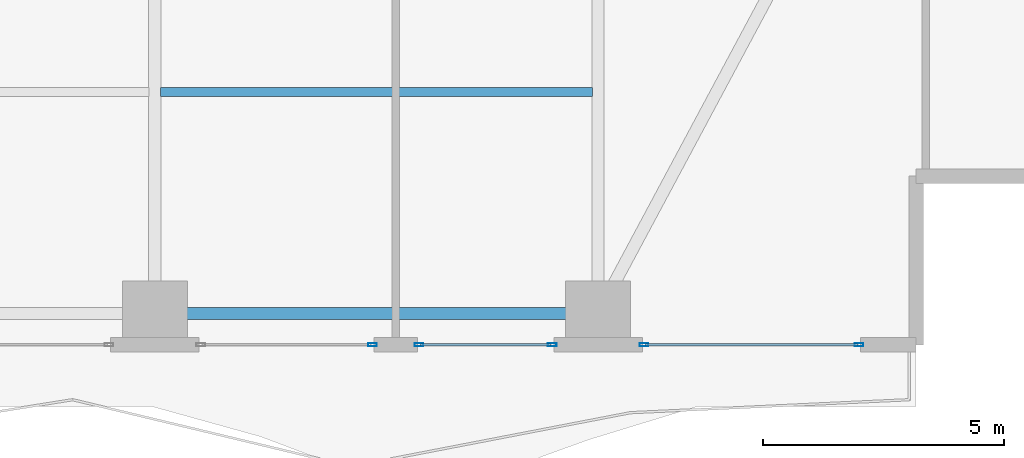
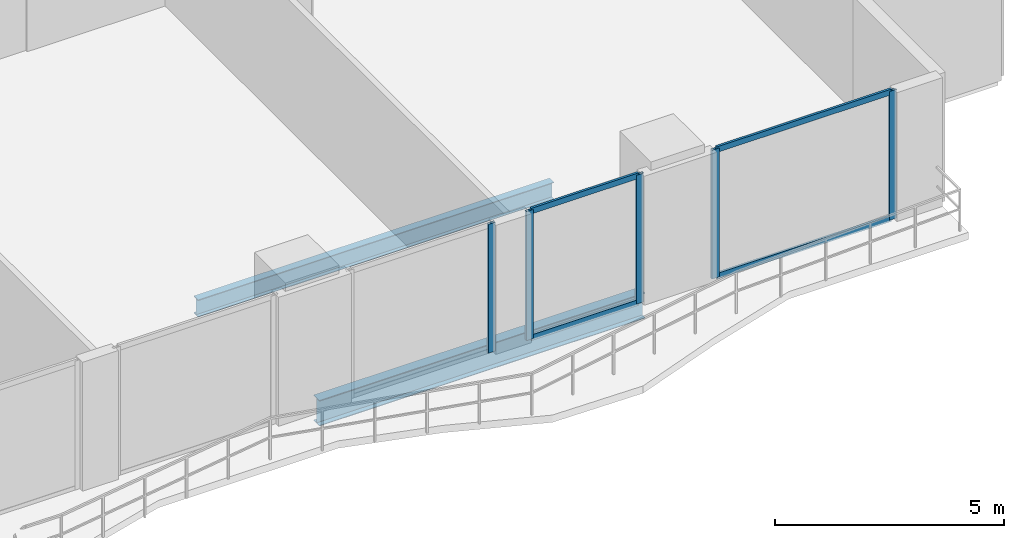
# One storey, part 9 of 28: 9 members, 2 beams, 3 elements without a shape of their own.
"""IFC4 building model written with IfcOpenShell, lengths in metres."""

from ifc_helpers import new_model, si_unit, direction, frame, origin, origin_2d, place, context, subcontext, project, spatial, hollow_rectangle, i_section, extrude, material, layer, layer_set, material_profile, profile_set, type_object, element, aggregate, save


model = new_model("IFC4")

# Units and contexts
model_context = context("Model", 3, precision=1e-05, world=origin(), true_north=direction((0.0, 1.0)))
body_context = subcontext(model_context, "Body", "Model", "MODEL_VIEW")
ifc_project = project(units=[si_unit("LENGTHUNIT", "METRE"), si_unit("AREAUNIT", "SQUARE_METRE"), si_unit("VOLUMEUNIT", "CUBIC_METRE"), si_unit("PLANEANGLEUNIT", "RADIAN"), si_unit("MASSUNIT", "GRAM", prefix="KILO")], contexts=[model_context])

# Site, building, storey
site_placement = place(None, origin())
site = spatial("IfcSite", under=ifc_project, at=site_placement, CompositionType="ELEMENT")
building_placement = place(site_placement, origin())
building = spatial("IfcBuilding", under=site, at=building_placement, Name="Zuhayl Quay Hotel", CompositionType="ELEMENT")
storey_placement = place(building_placement, frame((0.0, 0.0, 139.449951171875)))
storey = spatial("IfcBuildingStorey", under=building, at=storey_placement, Name="L35", CompositionType="ELEMENT", Elevation=139.449951171875)

# Beams
ifc_material_1 = material(Name="Steel ASTM A992 Grade 50", Category="steel")
ifc_material_profile_1 = material_profile(ifc_material_1, i_section(OverallWidth=0.25390625, OverallDepth=0.68310546875, WebThickness=0.012451171875, FlangeThickness=0.018798828125, at=origin_2d()), Name="W27X94")
ifc_profile_set_1 = profile_set([ifc_material_profile_1], Name="Steel ASTM A992 Grade 50")
beam_type_1 = type_object("IfcBeamType", Name="BM_B2_W27X94", PredefinedType="BEAM", material=ifc_profile_set_1)
beam_1_placement = place(storey_placement, frame((5.10009765625, -14.75, -0.5615234375), z_axis=(1.0, 0.0, 0.0), x_axis=(0.0, 1.0, 0.0)))
element("IfcBeam", 1, at=beam_1_placement, inside=storey, type_object=beam_type_1, Name="L35 Floor Beam RG_L35_03", PredefinedType="BEAM", context=body_context, shape_type="SweptSolid", body=[
    extrude(i_section(OverallWidth=0.25390625, OverallDepth=0.68310546875, WebThickness=0.012451171875, FlangeThickness=0.018798828125, at=origin_2d()), origin(), (0.0, 0.0, 1.0), 8.199951171875),
])
ifc_material_profile_2 = material_profile(ifc_material_1, i_section(OverallWidth=0.18994140625, OverallDepth=0.45703125, WebThickness=0.009033203125, FlangeThickness=0.014404296875, at=origin_2d()), Name="W18X50")
ifc_profile_set_2 = profile_set([ifc_material_profile_2], Name="Steel ASTM A992 Grade 50")
beam_type_2 = type_object("IfcBeamType", Name="BM_J2_W18X50", PredefinedType="JOIST", material=ifc_profile_set_2)
beam_2_placement = place(storey_placement, frame((4.718994140625, -10.14990234375, -0.448486328125), z_axis=(1.0, 0.0, 0.0), x_axis=(0.0, 1.0, 0.0)))
element("IfcBeam", 2, at=beam_2_placement, inside=storey, type_object=beam_type_2, Name="L35 Floor Beam FJ_L35_5_3", PredefinedType="JOIST", context=body_context, shape_type="SweptSolid", body=[
    extrude(i_section(OverallWidth=0.18994140625, OverallDepth=0.45703125, WebThickness=0.009033203125, FlangeThickness=0.014404296875, at=origin_2d()), origin(), (0.0, 0.0, 1.0), 8.9619140625),
])

# Curtain wall, members
ifc_material_2 = material(Name="Anodised Aluminium 6063-T6", Category="aluminium")
ifc_layer = layer(ifc_material_2, 0.179931640625, Name="Anodised Aluminium 6063-T6", Category="aluminium")
ifc_layer_set = layer_set([ifc_layer], Name="Anodised Aluminium 6063-T6")
curtain_wall_type = type_object("IfcCurtainWallType", Name="CW_SYS_Z2", PredefinedType="USERDEFINED", material=ifc_layer_set)
curtain_wall_1_placement = place(storey_placement, origin())
curtain_wall_1 = element("IfcCurtainWall", 3, at=curtain_wall_1_placement, inside=storey, type_object=curtain_wall_type, Name="L35 Curtain Wall ENV_L35_S_CW1", ObjectType="UNITISED CURTAIN WALL", PredefinedType="USERDEFINED")
ifc_material_3 = material(Name="Black-anodised aluminium 6063-T6", Category="aluminium")
ifc_material_profile_3 = material_profile(ifc_material_3, hollow_rectangle(XDim=0.06494140625, YDim=0.179931640625, WallThickness=0.00341796875, at=origin_2d()), Name="ALU180X65")
ifc_profile_set_3 = profile_set([ifc_material_profile_3], Name="Black-anodised aluminium 6063-T6")
member_type_1 = type_object("IfcMemberType", Name="MB_CW_MUL_180", PredefinedType="MULLION", material=ifc_profile_set_3)
member_1_placement = place(storey_placement, frame((19.217529296875, -15.39990234375, 0.0), z_axis=(0.0, 0.0, 1.0), x_axis=(0.0, -1.0, 0.0)))
member_1 = element("IfcMember", 4, at=member_1_placement, type_object=member_type_1, Name="CW-Z2 mullion 1", PredefinedType="MULLION", context=body_context, shape_type="SweptSolid", body=[
    extrude(hollow_rectangle(XDim=0.06494140625, YDim=0.179931640625, WallThickness=0.00341796875, at=origin_2d()), origin(), (0.0, 0.0, 1.0), 3.429931640625),
])
member_2_placement = place(storey_placement, frame((14.75244140625, -15.39990234375, 0.0), z_axis=(0.0, 0.0, 1.0), x_axis=(0.0, -1.0, 0.0)))
member_2 = element("IfcMember", 5, at=member_2_placement, type_object=member_type_1, Name="CW-Z2 mullion 2", PredefinedType="MULLION", context=body_context, shape_type="SweptSolid", body=[
    extrude(hollow_rectangle(XDim=0.06494140625, YDim=0.179931640625, WallThickness=0.00341796875, at=origin_2d()), origin(), (0.0, 0.0, 1.0), 3.429931640625),
])

curtain_wall_2_placement = place(storey_placement, origin())
curtain_wall_2 = element("IfcCurtainWall", 6, at=curtain_wall_2_placement, inside=storey, type_object=curtain_wall_type, Name="L35 Curtain Wall ENV_L35_S_CW2", ObjectType="UNITISED CURTAIN WALL", PredefinedType="USERDEFINED")
member_3_placement = place(storey_placement, frame((12.847412109375, -15.39990234375, 0.0), z_axis=(0.0, 0.0, 1.0), x_axis=(0.0, -1.0, 0.0)))
member_3 = element("IfcMember", 7, at=member_3_placement, type_object=member_type_1, Name="CW-Z2 mullion 1", PredefinedType="MULLION", context=body_context, shape_type="SweptSolid", body=[
    extrude(hollow_rectangle(XDim=0.06494140625, YDim=0.179931640625, WallThickness=0.00341796875, at=origin_2d()), origin(), (0.0, 0.0, 1.0), 3.429931640625),
])
member_4_placement = place(storey_placement, frame((10.08251953125, -15.39990234375, 0.0), z_axis=(0.0, 0.0, 1.0), x_axis=(0.0, -1.0, 0.0)))
member_4 = element("IfcMember", 8, at=member_4_placement, type_object=member_type_1, Name="CW-Z2 mullion 2", PredefinedType="MULLION", context=body_context, shape_type="SweptSolid", body=[
    extrude(hollow_rectangle(XDim=0.06494140625, YDim=0.179931640625, WallThickness=0.00341796875, at=origin_2d()), origin(), (0.0, 0.0, 1.0), 3.429931640625),
])

# Curtain wall, member
curtain_wall_3_placement = place(storey_placement, origin())
curtain_wall_3 = element("IfcCurtainWall", 9, at=curtain_wall_3_placement, inside=storey, type_object=curtain_wall_type, Name="L35 Curtain Wall ENV_L35_S_CW3", ObjectType="UNITISED CURTAIN WALL", PredefinedType="USERDEFINED")
member_5_placement = place(storey_placement, frame((9.117431640625, -15.39990234375, 0.0), z_axis=(0.0, 0.0, 1.0), x_axis=(0.0, -1.0, 0.0)))
member_5 = element("IfcMember", 10, at=member_5_placement, type_object=member_type_1, Name="CW-Z2 mullion 1", PredefinedType="MULLION", context=body_context, shape_type="SweptSolid", body=[
    extrude(hollow_rectangle(XDim=0.06494140625, YDim=0.179931640625, WallThickness=0.00341796875, at=origin_2d()), origin(), (0.0, 0.0, 1.0), 3.429931640625),
])
aggregate(curtain_wall_3, [member_5])

# Member
ifc_material_profile_4 = material_profile(ifc_material_3, hollow_rectangle(XDim=0.06005859375, YDim=0.14990234375, WallThickness=0.00341796875, at=origin_2d()), Name="ALU150X60")
ifc_profile_set_4 = profile_set([ifc_material_profile_4], Name="Black-anodised aluminium 6063-T6")
member_type_2 = type_object("IfcMemberType", Name="MB_CW_TRN_150", PredefinedType="USERDEFINED", material=ifc_profile_set_4)
member_6_placement = place(storey_placement, frame((19.18505859375, -15.39990234375, 0.030029296875), z_axis=(-1.0, 0.0, 0.0), x_axis=(0.0, -1.0, 0.0)))
member_6 = element("IfcMember", 11, at=member_6_placement, type_object=member_type_2, Name="CW-Z2 transom 1.1", ObjectType="TRANSOM", PredefinedType="USERDEFINED", context=body_context, shape_type="SweptSolid", body=[
    extrude(hollow_rectangle(XDim=0.06005859375, YDim=0.14990234375, WallThickness=0.00341796875, at=origin_2d()), origin(), (0.0, 0.0, 1.0), 4.400146484375),
])

member_7_placement = place(storey_placement, frame((19.18505859375, -15.39990234375, 3.400146484375), z_axis=(-1.0, 0.0, 0.0), x_axis=(0.0, -1.0, 0.0)))
member_7 = element("IfcMember", 12, at=member_7_placement, type_object=member_type_2, Name="CW-Z2 transom 1.2", ObjectType="TRANSOM", PredefinedType="USERDEFINED", context=body_context, shape_type="SweptSolid", body=[
    extrude(hollow_rectangle(XDim=0.06005859375, YDim=0.14990234375, WallThickness=0.00341796875, at=origin_2d()), origin(), (0.0, 0.0, 1.0), 4.400146484375),
])

aggregate(curtain_wall_1, [member_1, member_2, member_6, member_7])

member_8_placement = place(storey_placement, frame((12.81494140625, -15.39990234375, 0.030029296875), z_axis=(-1.0, 0.0, 0.0), x_axis=(0.0, -1.0, 0.0)))
member_8 = element("IfcMember", 13, at=member_8_placement, type_object=member_type_2, Name="CW-Z2 transom 1.1", ObjectType="TRANSOM", PredefinedType="USERDEFINED", context=body_context, shape_type="SweptSolid", body=[
    extrude(hollow_rectangle(XDim=0.06005859375, YDim=0.14990234375, WallThickness=0.00341796875, at=origin_2d()), origin(), (0.0, 0.0, 1.0), 2.699951171875),
])

member_9_placement = place(storey_placement, frame((12.81494140625, -15.39990234375, 3.400146484375), z_axis=(-1.0, 0.0, 0.0), x_axis=(0.0, -1.0, 0.0)))
member_9 = element("IfcMember", 14, at=member_9_placement, type_object=member_type_2, Name="CW-Z2 transom 1.2", ObjectType="TRANSOM", PredefinedType="USERDEFINED", context=body_context, shape_type="SweptSolid", body=[
    extrude(hollow_rectangle(XDim=0.06005859375, YDim=0.14990234375, WallThickness=0.00341796875, at=origin_2d()), origin(), (0.0, 0.0, 1.0), 2.699951171875),
])

aggregate(curtain_wall_2, [member_3, member_4, member_8, member_9])

save(model, "model.ifc")
